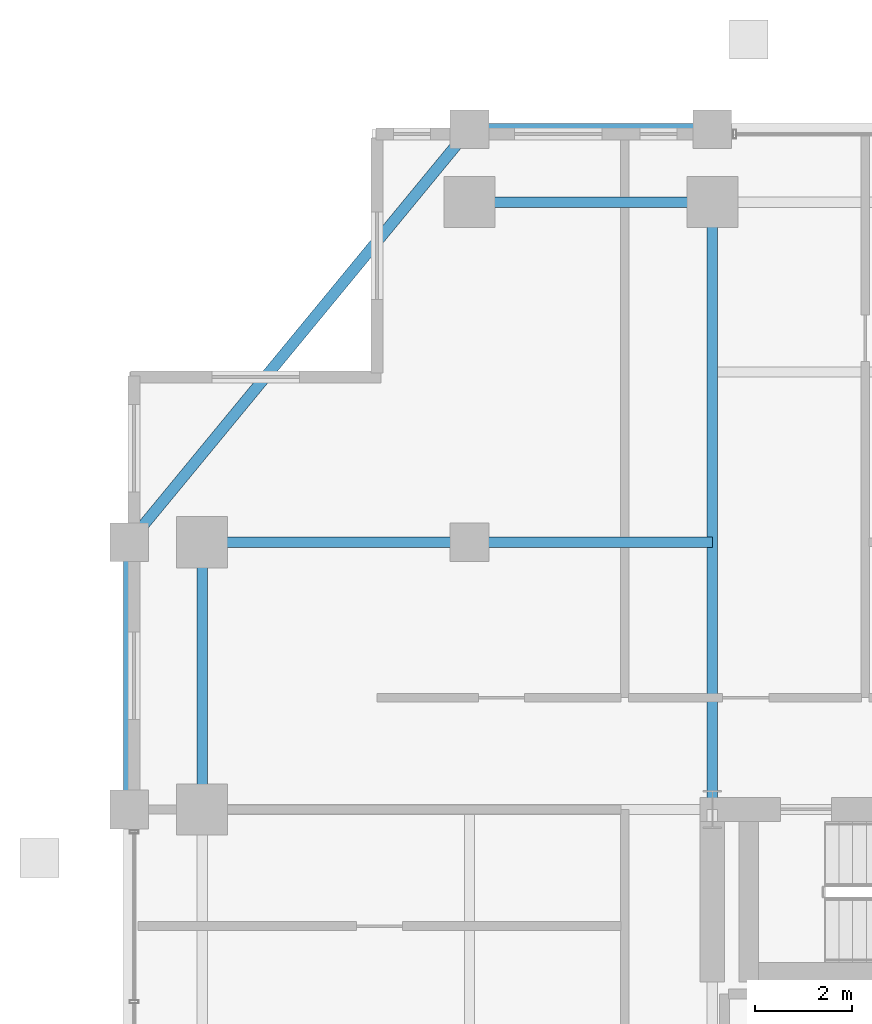
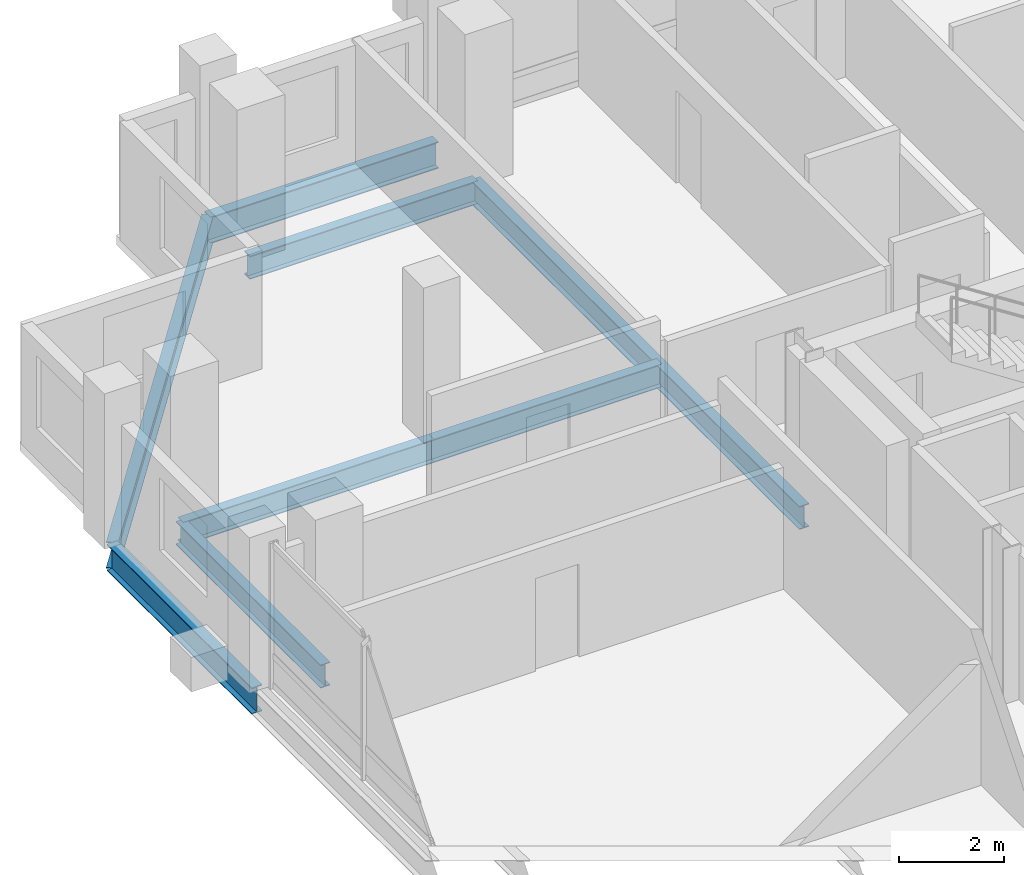
# One storey, part 12 of 24: 8 beams.
"""IFC4 building model written with IfcOpenShell, lengths in metres."""

from ifc_helpers import new_model, si_unit, direction, frame, origin, origin_2d, place, context, subcontext, project, spatial, i_section, extrude, material, material_profile, profile_set, type_object, element, save


model = new_model("IFC4")

# Units and contexts
model_context = context("Model", 3, precision=1e-05, world=origin(), true_north=direction((0.0, 1.0)))
body_context = subcontext(model_context, "Body", "Model", "MODEL_VIEW")
ifc_project = project(units=[si_unit("LENGTHUNIT", "METRE"), si_unit("AREAUNIT", "SQUARE_METRE"), si_unit("VOLUMEUNIT", "CUBIC_METRE"), si_unit("PLANEANGLEUNIT", "RADIAN"), si_unit("MASSUNIT", "GRAM", prefix="KILO")], contexts=[model_context])

# Site, building, storey
site_placement = place(None, origin())
site = spatial("IfcSite", under=ifc_project, at=site_placement, CompositionType="ELEMENT")
building_placement = place(site_placement, origin())
building = spatial("IfcBuilding", under=site, at=building_placement, Name="Barlavira Tower and Art Museum", CompositionType="ELEMENT")
storey_placement = place(building_placement, frame((0.0, 0.0, 180.0)))
storey = spatial("IfcBuildingStorey", under=building, at=storey_placement, Name="L46", CompositionType="ELEMENT", Elevation=180.0)

# Beams
ifc_material = material(Name="Steel S355", Category="steel")
ifc_material_profile_1 = material_profile(ifc_material, i_section(OverallWidth=0.22998046875, OverallDepth=0.616943359375, WebThickness=0.01318359375, FlangeThickness=0.022216796875, at=origin_2d()), Name="W610x140.0")
ifc_profile_set_1 = profile_set([ifc_material_profile_1], Name="Steel S355")
beam_type_1 = type_object("IfcBeamType", Name="Upper Shaft Spandrel Edge Beam W610x140 Steel S355", PredefinedType="SPANDREL", material=ifc_profile_set_1)
beam_1_placement = place(storey_placement, frame((-11.5, 21.5, -0.528564453125), z_axis=(1.0, 0.0, 0.0), x_axis=(0.0, 1.0, 0.0)))
element("IfcBeam", 1, at=beam_1_placement, inside=storey, type_object=beam_type_1, Name="L46 Spandrel 11", PredefinedType="SPANDREL", context=body_context, shape_type="SweptSolid", body=[
    extrude(i_section(OverallWidth=0.22998046875, OverallDepth=0.616943359375, WebThickness=0.01318359375, FlangeThickness=0.022216796875, at=origin_2d()), origin(), (0.0, 0.0, 1.0), 5.0),
])
beam_2_placement = place(storey_placement, frame((-11.5, 21.5, -0.528564453125), z_axis=(-0.635707252861, -0.771930235617, 0.0), x_axis=(0.771930235617, -0.635707252861, 0.0)))
element("IfcBeam", 2, at=beam_2_placement, inside=storey, type_object=beam_type_1, Name="L46 Spandrel 12", PredefinedType="SPANDREL", context=body_context, shape_type="SweptSolid", body=[
    extrude(i_section(OverallWidth=0.22998046875, OverallDepth=0.616943359375, WebThickness=0.01318359375, FlangeThickness=0.022216796875, at=origin_2d()), origin(), (0.0, 0.0, 1.0), 11.011474609375),
])
beam_3_placement = place(storey_placement, frame((-18.5, 7.5, -0.528564453125), z_axis=(0.0, 1.0, 0.0), x_axis=(-1.0, 0.0, 0.0)))
element("IfcBeam", 3, at=beam_3_placement, inside=storey, type_object=beam_type_1, Name="L46 Spandrel 13", PredefinedType="SPANDREL", context=body_context, shape_type="SweptSolid", body=[
    extrude(i_section(OverallWidth=0.22998046875, OverallDepth=0.616943359375, WebThickness=0.01318359375, FlangeThickness=0.022216796875, at=origin_2d()), origin(), (0.0, 0.0, 1.0), 5.5),
])
ifc_material_profile_2 = material_profile(ifc_material, i_section(OverallWidth=0.2109375, OverallDepth=0.5390625, WebThickness=0.01171875, FlangeThickness=0.018798828125, at=origin_2d()), Name="W530x109.0")
ifc_profile_set_2 = profile_set([ifc_material_profile_2], Name="Steel S355")
beam_type_2 = type_object("IfcBeamType", Name="Zone 3-4 Primary Floor Girder W530x109 Steel S355", PredefinedType="BEAM", material=ifc_profile_set_2)
beam_4_placement = place(storey_placement, frame((-11.5, 20.0, -0.489501953125), z_axis=(1.0, 0.0, 0.0), x_axis=(0.0, 1.0, 0.0)))
element("IfcBeam", 4, at=beam_4_placement, inside=storey, type_object=beam_type_2, Name="L46 Girder M-N1", PredefinedType="BEAM", context=body_context, shape_type="SweptSolid", body=[
    extrude(i_section(OverallWidth=0.2109375, OverallDepth=0.5390625, WebThickness=0.01171875, FlangeThickness=0.018798828125, at=origin_2d()), origin(), (0.0, 0.0, 1.0), 5.0),
])
beam_5_placement = place(storey_placement, frame((-17.0, 7.5, -0.489501953125), z_axis=(0.0, 1.0, 0.0), x_axis=(-1.0, 0.0, 0.0)))
element("IfcBeam", 5, at=beam_5_placement, inside=storey, type_object=beam_type_2, Name="L46 Girder M-W3", PredefinedType="BEAM", context=body_context, shape_type="SweptSolid", body=[
    extrude(i_section(OverallWidth=0.2109375, OverallDepth=0.5390625, WebThickness=0.01171875, FlangeThickness=0.018798828125, at=origin_2d()), origin(), (0.0, 0.0, 1.0), 5.5),
])
beam_6_placement = place(storey_placement, frame((-6.5, 7.5, -0.489501953125), z_axis=(0.0, 1.0, 0.0), x_axis=(-1.0, 0.0, 0.0)))
element("IfcBeam", 6, at=beam_6_placement, inside=storey, type_object=beam_type_2, Name="L46 Girder R-N1", PredefinedType="BEAM", context=body_context, shape_type="SweptSolid", body=[
    extrude(i_section(OverallWidth=0.2109375, OverallDepth=0.5390625, WebThickness=0.01171875, FlangeThickness=0.018798828125, at=origin_2d()), origin(), (0.0, 0.0, 1.0), 12.5),
])
beam_7_placement = place(storey_placement, frame((-17.0, 13.0, -0.489501953125), z_axis=(1.0, 0.0, 0.0), x_axis=(0.0, 1.0, 0.0)))
element("IfcBeam", 7, at=beam_7_placement, inside=storey, type_object=beam_type_2, Name="L46 Girder I-N1", PredefinedType="BEAM", context=body_context, shape_type="SweptSolid", body=[
    extrude(i_section(OverallWidth=0.2109375, OverallDepth=0.5390625, WebThickness=0.01171875, FlangeThickness=0.018798828125, at=origin_2d()), origin(), (0.0, 0.0, 1.0), 5.5),
])
beam_8_placement = place(storey_placement, frame((-11.5, 13.0, -0.489501953125), z_axis=(1.0, 0.0, 0.0), x_axis=(0.0, 1.0, 0.0)))
element("IfcBeam", 8, at=beam_8_placement, inside=storey, type_object=beam_type_2, Name="L46 Girder I-N2", PredefinedType="BEAM", context=body_context, shape_type="SweptSolid", body=[
    extrude(i_section(OverallWidth=0.2109375, OverallDepth=0.5390625, WebThickness=0.01171875, FlangeThickness=0.018798828125, at=origin_2d()), origin(), (0.0, 0.0, 1.0), 5.0),
])

save(model, "model.ifc")
